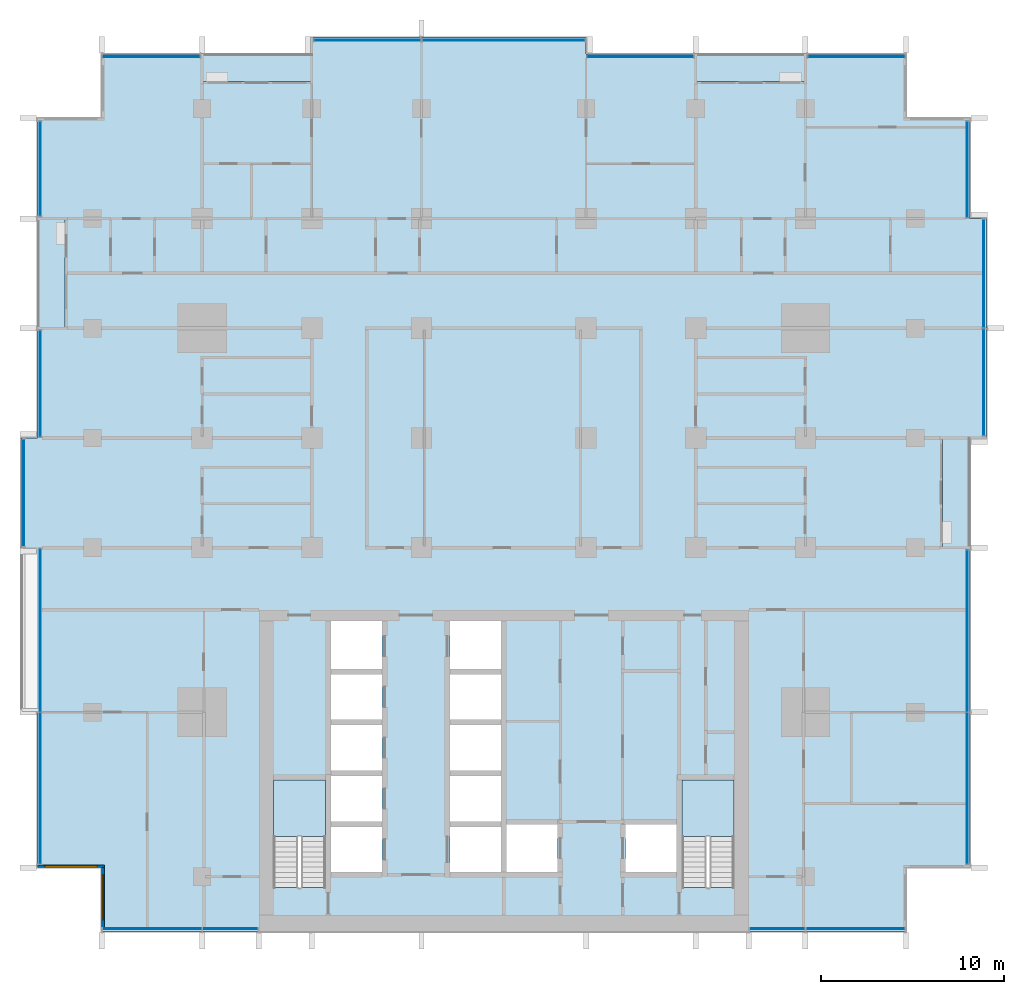
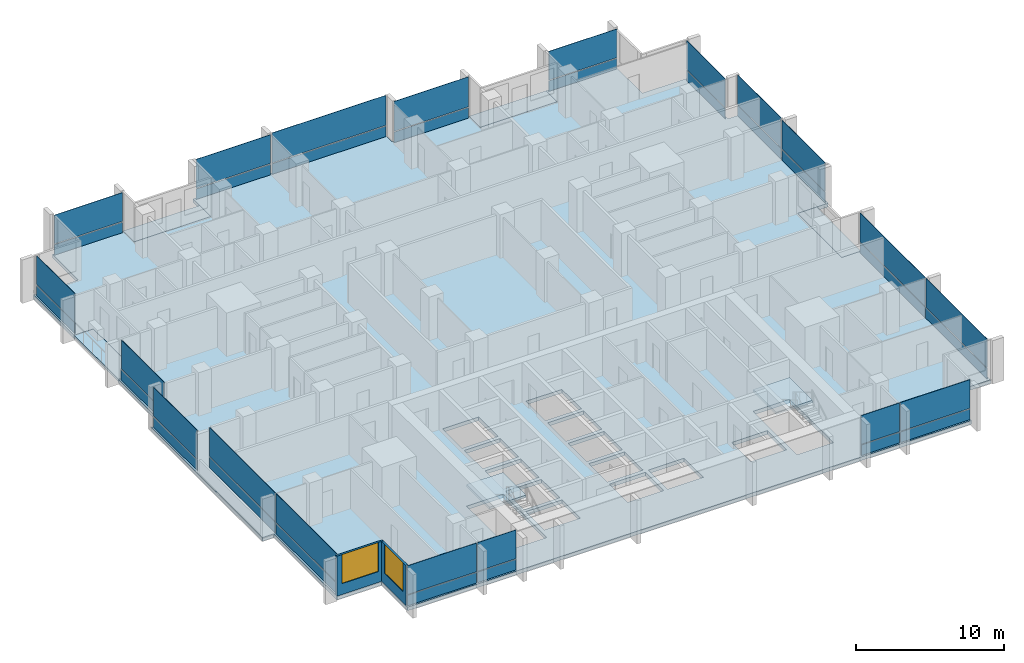
# One storey, part 6 of 17: 38 plates, 7 slabs, 2 walls, 2 windows, 2 openings, 17 elements without a shape of their own.
"""IFC4 building model written with IfcOpenShell, lengths in metres."""

from ifc_helpers import new_model, si_unit, direction, frame, frame_2d, origin, origin_2d, place, context, subcontext, project, spatial, polyline, rectangle, outline, extrude, material, layer, layer_set, type_object, element, fill, aggregate, save


model = new_model("IFC4")

# Units and contexts
model_context = context("Model", 3, precision=1e-05, world=origin(), true_north=direction((0.0, 1.0)))
body_context = subcontext(model_context, "Body", "Model", "MODEL_VIEW")
ifc_project = project(units=[si_unit("LENGTHUNIT", "METRE"), si_unit("AREAUNIT", "SQUARE_METRE"), si_unit("VOLUMEUNIT", "CUBIC_METRE"), si_unit("PLANEANGLEUNIT", "RADIAN"), si_unit("MASSUNIT", "GRAM", prefix="KILO")], contexts=[model_context])

# Site, building, storey
site_placement = place(None, origin())
site = spatial("IfcSite", under=ifc_project, at=site_placement, CompositionType="ELEMENT")
building_placement = place(site_placement, origin())
building = spatial("IfcBuilding", under=site, at=building_placement, Name="Finial Court Residences", CompositionType="ELEMENT")
storey_placement = place(building_placement, frame((0.0, 0.0, 120.699951171875)))
storey = spatial("IfcBuildingStorey", under=building, at=storey_placement, Name="L30", CompositionType="ELEMENT", Elevation=120.699951171875)

# Slabs
ifc_material_1 = material(Name="Concrete C35/45", Category="concrete")
ifc_layer_1 = layer(ifc_material_1, 0.199951171875)
ifc_layer_set_1 = layer_set([ifc_layer_1], Name="Balcony slab, Concrete C35/45 200")
slab_type_1 = type_object("IfcSlabType", Name="Balcony slab, Concrete C35/45 200", PredefinedType="FLOOR", material=ifc_layer_set_1)
slab_1_placement = place(storey_placement, frame((0.0, 0.0, -0.199951171875)))
element("IfcSlab", 1, at=slab_1_placement, inside=storey, type_object=slab_type_1, Name="Balcony L30-N2", PredefinedType="FLOOR", context=body_context, shape_type="SweptSolid", body=[
    extrude(outline(polyline([(-10.5, 21.0), (-10.5, 22.5), (-16.5, 22.5), (-16.5, 21.0), (-10.5, 21.0)])), origin(), (0.0, 0.0, 1.0), 0.199951171875),
])
slab_2_placement = place(storey_placement, frame((0.0, 0.0, -0.199951171875)))
element("IfcSlab", 2, at=slab_2_placement, inside=storey, type_object=slab_type_1, Name="Balcony L30-N6", PredefinedType="FLOOR", context=body_context, shape_type="SweptSolid", body=[
    extrude(outline(polyline([(16.5, 21.0), (16.5, 22.5), (10.5, 22.5), (10.5, 21.0), (16.5, 21.0)])), origin(), (0.0, 0.0, 1.0), 0.199951171875),
])
slab_3_placement = place(storey_placement, frame((0.0, 0.0, -0.199951171875)))
element("IfcSlab", 3, at=slab_3_placement, inside=storey, type_object=slab_type_1, Name="Balcony L30-E3", PredefinedType="FLOOR", context=body_context, shape_type="SweptSolid", body=[
    extrude(outline(polyline([(25.5, -4.5), (25.5, 1.5), (24.0, 1.5), (24.0, -4.5), (25.5, -4.5)])), origin(), (0.0, 0.0, 1.0), 0.199951171875),
])
slab_4_placement = place(storey_placement, frame((0.0, 0.0, -0.199951171875)))
element("IfcSlab", 4, at=slab_4_placement, inside=storey, type_object=slab_type_1, Name="Balcony L30-W5", PredefinedType="FLOOR", context=body_context, shape_type="SweptSolid", body=[
    extrude(outline(polyline([(-24.0, 7.5), (-24.0, 13.5), (-25.5, 13.5), (-25.5, 7.5), (-24.0, 7.5)])), origin(), (0.0, 0.0, 1.0), 0.199951171875),
])

# Curtain wall, plate
ifc_material_2 = material(Name="Bronze anodised aluminium", Category="aluminium")
curtain_wall_type = type_object("IfcCurtainWallType", Name="Unitised curtain wall, lower and middle zones", PredefinedType="NOTDEFINED", material=ifc_material_2)
curtain_wall_1_placement = place(storey_placement, origin())
curtain_wall_1 = element("IfcCurtainWall", 5, at=curtain_wall_1_placement, inside=storey, type_object=curtain_wall_type, Name="E-L30-CW-N1", PredefinedType="NOTDEFINED")
ifc_layer_2 = layer(ifc_material_2, 0.0400390625)
ifc_layer_set_2 = layer_set([ifc_layer_2], Name="CW1 spandrel panel 40")
plate_type_1 = type_object("IfcPlateType", Name="CW1 spandrel panel 40", PredefinedType="CURTAIN_PANEL", material=ifc_layer_set_2)
plate_1_placement = place(storey_placement, frame((-19.28759765625, 22.35009765625, 0.0), z_axis=(0.0, 0.0, 1.0), x_axis=(1.0, 0.0, 0.0)))
plate_1 = element("IfcPlate", 6, at=plate_1_placement, type_object=plate_type_1, Name="CW1 spandrel 1.1", PredefinedType="CURTAIN_PANEL", context=body_context, shape_type="SweptSolid", body=[
    extrude(rectangle(XDim=5.294921875, YDim=0.0400390625, at=origin_2d()), origin(), (0.0, 0.0, 1.0), 0.867431640625),
])

curtain_wall_2_placement = place(storey_placement, origin())
curtain_wall_2 = element("IfcCurtainWall", 7, at=curtain_wall_2_placement, inside=storey, type_object=curtain_wall_type, Name="E-L30-CW-N2", PredefinedType="NOTDEFINED")
plate_2_placement = place(storey_placement, frame((-7.46240234375, 23.25, 0.0), z_axis=(0.0, 0.0, 1.0), x_axis=(1.0, 0.0, 0.0)))
plate_2 = element("IfcPlate", 8, at=plate_2_placement, type_object=plate_type_1, Name="CW1 spandrel 1.1", PredefinedType="CURTAIN_PANEL", context=body_context, shape_type="SweptSolid", body=[
    extrude(rectangle(XDim=5.794921875, YDim=0.0400390625, at=origin_2d()), origin(), (0.0, 0.0, 1.0), 0.867431640625),
])

curtain_wall_3_placement = place(storey_placement, origin())
curtain_wall_3 = element("IfcCurtainWall", 9, at=curtain_wall_3_placement, inside=storey, type_object=curtain_wall_type, Name="E-L30-CW-N3", PredefinedType="NOTDEFINED")
plate_3_placement = place(storey_placement, frame((0.0, 23.25, 0.0), z_axis=(0.0, 0.0, 1.0), x_axis=(1.0, 0.0, 0.0)))
plate_3 = element("IfcPlate", 10, at=plate_3_placement, type_object=plate_type_1, Name="CW1 spandrel 1.1", PredefinedType="CURTAIN_PANEL", context=body_context, shape_type="SweptSolid", body=[
    extrude(rectangle(XDim=8.8701171875, YDim=0.0400390625, at=origin_2d()), origin(), (0.0, 0.0, 1.0), 0.867431640625),
])

curtain_wall_4_placement = place(storey_placement, origin())
curtain_wall_4 = element("IfcCurtainWall", 11, at=curtain_wall_4_placement, inside=storey, type_object=curtain_wall_type, Name="E-L30-CW-N4", PredefinedType="NOTDEFINED")
plate_4_placement = place(storey_placement, frame((7.46240234375, 22.35009765625, 0.0), z_axis=(0.0, 0.0, 1.0), x_axis=(1.0, 0.0, 0.0)))
plate_4 = element("IfcPlate", 12, at=plate_4_placement, type_object=plate_type_1, Name="CW1 spandrel 1.1", PredefinedType="CURTAIN_PANEL", context=body_context, shape_type="SweptSolid", body=[
    extrude(rectangle(XDim=5.794921875, YDim=0.0400390625, at=origin_2d()), origin(), (0.0, 0.0, 1.0), 0.867431640625),
])

curtain_wall_5_placement = place(storey_placement, origin())
curtain_wall_5 = element("IfcCurtainWall", 13, at=curtain_wall_5_placement, inside=storey, type_object=curtain_wall_type, Name="E-L30-CW-N5", PredefinedType="NOTDEFINED")
plate_5_placement = place(storey_placement, frame((19.28759765625, 22.35009765625, 0.0), z_axis=(0.0, 0.0, 1.0), x_axis=(1.0, 0.0, 0.0)))
plate_5 = element("IfcPlate", 14, at=plate_5_placement, type_object=plate_type_1, Name="CW1 spandrel 1.1", PredefinedType="CURTAIN_PANEL", context=body_context, shape_type="SweptSolid", body=[
    extrude(rectangle(XDim=5.294921875, YDim=0.0400390625, at=origin_2d()), origin(), (0.0, 0.0, 1.0), 0.867431640625),
])

# Curtain wall, plates
curtain_wall_6_placement = place(storey_placement, origin())
curtain_wall_6 = element("IfcCurtainWall", 15, at=curtain_wall_6_placement, inside=storey, type_object=curtain_wall_type, Name="E-L30-CW-E6", PredefinedType="NOTDEFINED")
plate_6_placement = place(storey_placement, frame((25.35009765625, -17.65869140625, 0.0), z_axis=(0.0, 0.0, 1.0), x_axis=(0.0, 1.0, 0.0)))
plate_6 = element("IfcPlate", 16, at=plate_6_placement, type_object=plate_type_1, Name="CW1 spandrel 1.1", PredefinedType="CURTAIN_PANEL", context=body_context, shape_type="SweptSolid", body=[
    extrude(rectangle(XDim=8.25244140625, YDim=0.0400390625, at=origin_2d()), origin(), (0.0, 0.0, 1.0), 0.867431640625),
])
plate_7_placement = place(storey_placement, frame((25.35009765625, -9.0537109375, 0.0), z_axis=(0.0, 0.0, 1.0), x_axis=(0.0, 1.0, 0.0)))
plate_7 = element("IfcPlate", 17, at=plate_7_placement, type_object=plate_type_1, Name="CW1 spandrel 2.1", PredefinedType="CURTAIN_PANEL", context=body_context, shape_type="SweptSolid", body=[
    extrude(rectangle(XDim=8.827392578125, YDim=0.0400390625, at=origin_2d()), origin(), (0.0, 0.0, 1.0), 0.867431640625),
])

# Curtain wall, plate
curtain_wall_7_placement = place(storey_placement, origin())
curtain_wall_7 = element("IfcCurtainWall", 18, at=curtain_wall_7_placement, inside=storey, type_object=curtain_wall_type, Name="E-L30-CW-E7", PredefinedType="NOTDEFINED")
plate_8_placement = place(storey_placement, frame((26.25, 4.53759765625, 0.0), z_axis=(0.0, 0.0, 1.0), x_axis=(0.0, 1.0, 0.0)))
plate_8 = element("IfcPlate", 19, at=plate_8_placement, type_object=plate_type_1, Name="CW1 spandrel 1.1", PredefinedType="CURTAIN_PANEL", context=body_context, shape_type="SweptSolid", body=[
    extrude(rectangle(XDim=5.794921875, YDim=0.0400390625, at=origin_2d()), origin(), (0.0, 0.0, 1.0), 0.867431640625),
])

curtain_wall_8_placement = place(storey_placement, origin())
curtain_wall_8 = element("IfcCurtainWall", 20, at=curtain_wall_8_placement, inside=storey, type_object=curtain_wall_type, Name="E-L30-CW-E8", PredefinedType="NOTDEFINED")
plate_9_placement = place(storey_placement, frame((26.25, 10.5, 0.0), z_axis=(0.0, 0.0, 1.0), x_axis=(0.0, 1.0, 0.0)))
plate_9 = element("IfcPlate", 21, at=plate_9_placement, type_object=plate_type_1, Name="CW1 spandrel 1.1", PredefinedType="CURTAIN_PANEL", context=body_context, shape_type="SweptSolid", body=[
    extrude(rectangle(XDim=5.8701171875, YDim=0.0400390625, at=origin_2d()), origin(), (0.0, 0.0, 1.0), 0.867431640625),
])

curtain_wall_9_placement = place(storey_placement, origin())
curtain_wall_9 = element("IfcCurtainWall", 22, at=curtain_wall_9_placement, inside=storey, type_object=curtain_wall_type, Name="E-L30-CW-E9", PredefinedType="NOTDEFINED")
plate_10_placement = place(storey_placement, frame((25.35009765625, 16.175048828125, 0.0), z_axis=(0.0, 0.0, 1.0), x_axis=(0.0, 1.0, 0.0)))
plate_10 = element("IfcPlate", 23, at=plate_10_placement, type_object=plate_type_1, Name="CW1 spandrel 1.1", PredefinedType="CURTAIN_PANEL", context=body_context, shape_type="SweptSolid", body=[
    extrude(rectangle(XDim=5.219970703125, YDim=0.0400390625, at=origin_2d()), origin(), (0.0, 0.0, 1.0), 0.867431640625),
])

# Curtain wall, plates
curtain_wall_10_placement = place(storey_placement, origin())
curtain_wall_10 = element("IfcCurtainWall", 24, at=curtain_wall_10_placement, inside=storey, type_object=curtain_wall_type, Name="E-L30-CW-S10", PredefinedType="NOTDEFINED")
plate_11_placement = place(storey_placement, frame((-19.23388671875, -25.35009765625, 0.0), z_axis=(0.0, 0.0, 1.0), x_axis=(1.0, 0.0, 0.0)))
plate_11 = element("IfcPlate", 25, at=plate_11_placement, type_object=plate_type_1, Name="CW1 spandrel 1.1", PredefinedType="CURTAIN_PANEL", context=body_context, shape_type="SweptSolid", body=[
    extrude(rectangle(XDim=5.402587890625, YDim=0.0400390625, at=origin_2d()), origin(), (0.0, 0.0, 1.0), 0.867431640625),
])
plate_12_placement = place(storey_placement, frame((-14.96630859375, -25.35009765625, 0.0), z_axis=(0.0, 0.0, 1.0), x_axis=(1.0, 0.0, 0.0)))
plate_12 = element("IfcPlate", 26, at=plate_12_placement, type_object=plate_type_1, Name="CW1 spandrel 2.1", PredefinedType="CURTAIN_PANEL", context=body_context, shape_type="SweptSolid", body=[
    extrude(rectangle(XDim=3.00244140625, YDim=0.0400390625, at=origin_2d()), origin(), (0.0, 0.0, 1.0), 0.867431640625),
])

curtain_wall_11_placement = place(storey_placement, origin())
curtain_wall_11 = element("IfcCurtainWall", 27, at=curtain_wall_11_placement, inside=storey, type_object=curtain_wall_type, Name="E-L30-CW-S11", PredefinedType="NOTDEFINED")
plate_13_placement = place(storey_placement, frame((14.96630859375, -25.35009765625, 0.0), z_axis=(0.0, 0.0, 1.0), x_axis=(1.0, 0.0, 0.0)))
plate_13 = element("IfcPlate", 28, at=plate_13_placement, type_object=plate_type_1, Name="CW1 spandrel 1.1", PredefinedType="CURTAIN_PANEL", context=body_context, shape_type="SweptSolid", body=[
    extrude(rectangle(XDim=3.00244140625, YDim=0.0400390625, at=origin_2d()), origin(), (0.0, 0.0, 1.0), 0.867431640625),
])
plate_14_placement = place(storey_placement, frame((19.23388671875, -25.35009765625, 0.0), z_axis=(0.0, 0.0, 1.0), x_axis=(1.0, 0.0, 0.0)))
plate_14 = element("IfcPlate", 29, at=plate_14_placement, type_object=plate_type_1, Name="CW1 spandrel 2.1", PredefinedType="CURTAIN_PANEL", context=body_context, shape_type="SweptSolid", body=[
    extrude(rectangle(XDim=5.402587890625, YDim=0.0400390625, at=origin_2d()), origin(), (0.0, 0.0, 1.0), 0.867431640625),
])

curtain_wall_12_placement = place(storey_placement, origin())
curtain_wall_12 = element("IfcCurtainWall", 30, at=curtain_wall_12_placement, inside=storey, type_object=curtain_wall_type, Name="E-L30-CW-W12", PredefinedType="NOTDEFINED")
plate_15_placement = place(storey_placement, frame((-25.35009765625, -17.65869140625, 0.0), z_axis=(0.0, 0.0, 1.0), x_axis=(0.0, 1.0, 0.0)))
plate_15 = element("IfcPlate", 31, at=plate_15_placement, type_object=plate_type_1, Name="CW1 spandrel 1.1", PredefinedType="CURTAIN_PANEL", context=body_context, shape_type="SweptSolid", body=[
    extrude(rectangle(XDim=8.25244140625, YDim=0.0400390625, at=origin_2d()), origin(), (0.0, 0.0, 1.0), 0.867431640625),
])
plate_16_placement = place(storey_placement, frame((-25.35009765625, -9.01611328125, 0.0), z_axis=(0.0, 0.0, 1.0), x_axis=(0.0, 1.0, 0.0)))
plate_16 = element("IfcPlate", 32, at=plate_16_placement, type_object=plate_type_1, Name="CW1 spandrel 2.1", PredefinedType="CURTAIN_PANEL", context=body_context, shape_type="SweptSolid", body=[
    extrude(rectangle(XDim=8.902587890625, YDim=0.0400390625, at=origin_2d()), origin(), (0.0, 0.0, 1.0), 0.867431640625),
])

# Curtain wall, plate
curtain_wall_13_placement = place(storey_placement, origin())
curtain_wall_13 = element("IfcCurtainWall", 33, at=curtain_wall_13_placement, inside=storey, type_object=curtain_wall_type, Name="E-L30-CW-W13", PredefinedType="NOTDEFINED")
plate_17_placement = place(storey_placement, frame((-26.25, -1.5, 0.0), z_axis=(0.0, 0.0, 1.0), x_axis=(0.0, 1.0, 0.0)))
plate_17 = element("IfcPlate", 34, at=plate_17_placement, type_object=plate_type_1, Name="CW1 spandrel 1.1", PredefinedType="CURTAIN_PANEL", context=body_context, shape_type="SweptSolid", body=[
    extrude(rectangle(XDim=5.8701171875, YDim=0.0400390625, at=origin_2d()), origin(), (0.0, 0.0, 1.0), 0.867431640625),
])

curtain_wall_14_placement = place(storey_placement, origin())
curtain_wall_14 = element("IfcCurtainWall", 35, at=curtain_wall_14_placement, inside=storey, type_object=curtain_wall_type, Name="E-L30-CW-W14", PredefinedType="NOTDEFINED")
plate_18_placement = place(storey_placement, frame((-25.35009765625, 4.46240234375, 0.0), z_axis=(0.0, 0.0, 1.0), x_axis=(0.0, 1.0, 0.0)))
plate_18 = element("IfcPlate", 36, at=plate_18_placement, type_object=plate_type_1, Name="CW1 spandrel 1.1", PredefinedType="CURTAIN_PANEL", context=body_context, shape_type="SweptSolid", body=[
    extrude(rectangle(XDim=5.794921875, YDim=0.0400390625, at=origin_2d()), origin(), (0.0, 0.0, 1.0), 0.867431640625),
])

curtain_wall_15_placement = place(storey_placement, origin())
curtain_wall_15 = element("IfcCurtainWall", 37, at=curtain_wall_15_placement, inside=storey, type_object=curtain_wall_type, Name="E-L30-CW-W15", PredefinedType="NOTDEFINED")
plate_19_placement = place(storey_placement, frame((-25.35009765625, 16.21240234375, 0.0), z_axis=(0.0, 0.0, 1.0), x_axis=(0.0, 1.0, 0.0)))
plate_19 = element("IfcPlate", 38, at=plate_19_placement, type_object=plate_type_1, Name="CW1 spandrel 1.1", PredefinedType="CURTAIN_PANEL", context=body_context, shape_type="SweptSolid", body=[
    extrude(rectangle(XDim=5.14501953125, YDim=0.0400390625, at=origin_2d()), origin(), (0.0, 0.0, 1.0), 0.867431640625),
])

# Plate
ifc_material_3 = material(Name="Clear low-e glass", Category="glass")
ifc_layer_3 = layer(ifc_material_3, 0.031982421875)
ifc_layer_set_3 = layer_set([ifc_layer_3], Name="CW1 vision glass 32")
plate_type_2 = type_object("IfcPlateType", Name="CW1 vision glass 32", PredefinedType="CURTAIN_PANEL", material=ifc_layer_set_3)
plate_20_placement = place(storey_placement, frame((-19.28759765625, 22.35009765625, 0.9326171875), z_axis=(0.0, 0.0, 1.0), x_axis=(1.0, 0.0, 0.0)))
plate_20 = element("IfcPlate", 39, at=plate_20_placement, type_object=plate_type_2, Name="CW1 glass 1.2", PredefinedType="CURTAIN_PANEL", context=body_context, shape_type="SweptSolid", body=[
    extrude(rectangle(XDim=5.294921875, YDim=0.031982421875, at=origin_2d()), origin(), (0.0, 0.0, 1.0), 2.367431640625),
])

aggregate(curtain_wall_1, [plate_1, plate_20])

plate_21_placement = place(storey_placement, frame((-7.46240234375, 23.25, 0.9326171875), z_axis=(0.0, 0.0, 1.0), x_axis=(1.0, 0.0, 0.0)))
plate_21 = element("IfcPlate", 40, at=plate_21_placement, type_object=plate_type_2, Name="CW1 glass 1.2", PredefinedType="CURTAIN_PANEL", context=body_context, shape_type="SweptSolid", body=[
    extrude(rectangle(XDim=5.794921875, YDim=0.031982421875, at=origin_2d()), origin(), (0.0, 0.0, 1.0), 2.367431640625),
])

aggregate(curtain_wall_2, [plate_2, plate_21])

plate_22_placement = place(storey_placement, frame((0.0, 23.25, 0.9326171875), z_axis=(0.0, 0.0, 1.0), x_axis=(1.0, 0.0, 0.0)))
plate_22 = element("IfcPlate", 41, at=plate_22_placement, type_object=plate_type_2, Name="CW1 glass 1.2", PredefinedType="CURTAIN_PANEL", context=body_context, shape_type="SweptSolid", body=[
    extrude(rectangle(XDim=8.8701171875, YDim=0.031982421875, at=origin_2d()), origin(), (0.0, 0.0, 1.0), 2.467529296875),
])

aggregate(curtain_wall_3, [plate_3, plate_22])

plate_23_placement = place(storey_placement, frame((7.46240234375, 22.35009765625, 0.9326171875), z_axis=(0.0, 0.0, 1.0), x_axis=(1.0, 0.0, 0.0)))
plate_23 = element("IfcPlate", 42, at=plate_23_placement, type_object=plate_type_2, Name="CW1 glass 1.2", PredefinedType="CURTAIN_PANEL", context=body_context, shape_type="SweptSolid", body=[
    extrude(rectangle(XDim=5.794921875, YDim=0.031982421875, at=origin_2d()), origin(), (0.0, 0.0, 1.0), 2.467529296875),
])

aggregate(curtain_wall_4, [plate_4, plate_23])

plate_24_placement = place(storey_placement, frame((19.28759765625, 22.35009765625, 0.9326171875), z_axis=(0.0, 0.0, 1.0), x_axis=(1.0, 0.0, 0.0)))
plate_24 = element("IfcPlate", 43, at=plate_24_placement, type_object=plate_type_2, Name="CW1 glass 1.2", PredefinedType="CURTAIN_PANEL", context=body_context, shape_type="SweptSolid", body=[
    extrude(rectangle(XDim=5.294921875, YDim=0.031982421875, at=origin_2d()), origin(), (0.0, 0.0, 1.0), 2.367431640625),
])

aggregate(curtain_wall_5, [plate_5, plate_24])

plate_25_placement = place(storey_placement, frame((25.35009765625, -17.65869140625, 0.9326171875), z_axis=(0.0, 0.0, 1.0), x_axis=(0.0, 1.0, 0.0)))
plate_25 = element("IfcPlate", 44, at=plate_25_placement, type_object=plate_type_2, Name="CW1 glass 1.2", PredefinedType="CURTAIN_PANEL", context=body_context, shape_type="SweptSolid", body=[
    extrude(rectangle(XDim=8.25244140625, YDim=0.031982421875, at=origin_2d()), origin(), (0.0, 0.0, 1.0), 2.367431640625),
])

plate_26_placement = place(storey_placement, frame((25.35009765625, -9.0537109375, 0.9326171875), z_axis=(0.0, 0.0, 1.0), x_axis=(0.0, 1.0, 0.0)))
plate_26 = element("IfcPlate", 45, at=plate_26_placement, type_object=plate_type_2, Name="CW1 glass 2.2", PredefinedType="CURTAIN_PANEL", context=body_context, shape_type="SweptSolid", body=[
    extrude(rectangle(XDim=8.827392578125, YDim=0.031982421875, at=origin_2d()), origin(), (0.0, 0.0, 1.0), 2.367431640625),
])

aggregate(curtain_wall_6, [plate_6, plate_25, plate_7, plate_26])

plate_27_placement = place(storey_placement, frame((26.25, 4.53759765625, 0.9326171875), z_axis=(0.0, 0.0, 1.0), x_axis=(0.0, 1.0, 0.0)))
plate_27 = element("IfcPlate", 46, at=plate_27_placement, type_object=plate_type_2, Name="CW1 glass 1.2", PredefinedType="CURTAIN_PANEL", context=body_context, shape_type="SweptSolid", body=[
    extrude(rectangle(XDim=5.794921875, YDim=0.031982421875, at=origin_2d()), origin(), (0.0, 0.0, 1.0), 2.367431640625),
])

aggregate(curtain_wall_7, [plate_8, plate_27])

plate_28_placement = place(storey_placement, frame((26.25, 10.5, 0.9326171875), z_axis=(0.0, 0.0, 1.0), x_axis=(0.0, 1.0, 0.0)))
plate_28 = element("IfcPlate", 47, at=plate_28_placement, type_object=plate_type_2, Name="CW1 glass 1.2", PredefinedType="CURTAIN_PANEL", context=body_context, shape_type="SweptSolid", body=[
    extrude(rectangle(XDim=5.8701171875, YDim=0.031982421875, at=origin_2d()), origin(), (0.0, 0.0, 1.0), 2.467529296875),
])

aggregate(curtain_wall_8, [plate_9, plate_28])

plate_29_placement = place(storey_placement, frame((25.35009765625, 16.175048828125, 0.9326171875), z_axis=(0.0, 0.0, 1.0), x_axis=(0.0, 1.0, 0.0)))
plate_29 = element("IfcPlate", 48, at=plate_29_placement, type_object=plate_type_2, Name="CW1 glass 1.2", PredefinedType="CURTAIN_PANEL", context=body_context, shape_type="SweptSolid", body=[
    extrude(rectangle(XDim=5.219970703125, YDim=0.031982421875, at=origin_2d()), origin(), (0.0, 0.0, 1.0), 2.367431640625),
])

aggregate(curtain_wall_9, [plate_10, plate_29])

plate_30_placement = place(storey_placement, frame((-19.23388671875, -25.35009765625, 0.9326171875), z_axis=(0.0, 0.0, 1.0), x_axis=(1.0, 0.0, 0.0)))
plate_30 = element("IfcPlate", 49, at=plate_30_placement, type_object=plate_type_2, Name="CW1 glass 1.2", PredefinedType="CURTAIN_PANEL", context=body_context, shape_type="SweptSolid", body=[
    extrude(rectangle(XDim=5.402587890625, YDim=0.031982421875, at=origin_2d()), origin(), (0.0, 0.0, 1.0), 2.367431640625),
])

plate_31_placement = place(storey_placement, frame((-14.96630859375, -25.35009765625, 0.9326171875), z_axis=(0.0, 0.0, 1.0), x_axis=(1.0, 0.0, 0.0)))
plate_31 = element("IfcPlate", 50, at=plate_31_placement, type_object=plate_type_2, Name="CW1 glass 2.2", PredefinedType="CURTAIN_PANEL", context=body_context, shape_type="SweptSolid", body=[
    extrude(rectangle(XDim=3.00244140625, YDim=0.031982421875, at=origin_2d()), origin(), (0.0, 0.0, 1.0), 2.367431640625),
])

aggregate(curtain_wall_10, [plate_11, plate_30, plate_12, plate_31])

plate_32_placement = place(storey_placement, frame((14.96630859375, -25.35009765625, 0.9326171875), z_axis=(0.0, 0.0, 1.0), x_axis=(1.0, 0.0, 0.0)))
plate_32 = element("IfcPlate", 51, at=plate_32_placement, type_object=plate_type_2, Name="CW1 glass 1.2", PredefinedType="CURTAIN_PANEL", context=body_context, shape_type="SweptSolid", body=[
    extrude(rectangle(XDim=3.00244140625, YDim=0.031982421875, at=origin_2d()), origin(), (0.0, 0.0, 1.0), 2.367431640625),
])

plate_33_placement = place(storey_placement, frame((19.23388671875, -25.35009765625, 0.9326171875), z_axis=(0.0, 0.0, 1.0), x_axis=(1.0, 0.0, 0.0)))
plate_33 = element("IfcPlate", 52, at=plate_33_placement, type_object=plate_type_2, Name="CW1 glass 2.2", PredefinedType="CURTAIN_PANEL", context=body_context, shape_type="SweptSolid", body=[
    extrude(rectangle(XDim=5.402587890625, YDim=0.031982421875, at=origin_2d()), origin(), (0.0, 0.0, 1.0), 2.367431640625),
])

aggregate(curtain_wall_11, [plate_13, plate_32, plate_14, plate_33])

plate_34_placement = place(storey_placement, frame((-25.35009765625, -17.65869140625, 0.9326171875), z_axis=(0.0, 0.0, 1.0), x_axis=(0.0, 1.0, 0.0)))
plate_34 = element("IfcPlate", 53, at=plate_34_placement, type_object=plate_type_2, Name="CW1 glass 1.2", PredefinedType="CURTAIN_PANEL", context=body_context, shape_type="SweptSolid", body=[
    extrude(rectangle(XDim=8.25244140625, YDim=0.031982421875, at=origin_2d()), origin(), (0.0, 0.0, 1.0), 2.367431640625),
])

plate_35_placement = place(storey_placement, frame((-25.35009765625, -9.01611328125, 0.9326171875), z_axis=(0.0, 0.0, 1.0), x_axis=(0.0, 1.0, 0.0)))
plate_35 = element("IfcPlate", 54, at=plate_35_placement, type_object=plate_type_2, Name="CW1 glass 2.2", PredefinedType="CURTAIN_PANEL", context=body_context, shape_type="SweptSolid", body=[
    extrude(rectangle(XDim=8.902587890625, YDim=0.031982421875, at=origin_2d()), origin(), (0.0, 0.0, 1.0), 2.367431640625),
])

aggregate(curtain_wall_12, [plate_15, plate_34, plate_16, plate_35])

plate_36_placement = place(storey_placement, frame((-26.25, -1.5, 0.9326171875), z_axis=(0.0, 0.0, 1.0), x_axis=(0.0, 1.0, 0.0)))
plate_36 = element("IfcPlate", 55, at=plate_36_placement, type_object=plate_type_2, Name="CW1 glass 1.2", PredefinedType="CURTAIN_PANEL", context=body_context, shape_type="SweptSolid", body=[
    extrude(rectangle(XDim=5.8701171875, YDim=0.031982421875, at=origin_2d()), origin(), (0.0, 0.0, 1.0), 2.367431640625),
])

aggregate(curtain_wall_13, [plate_17, plate_36])

plate_37_placement = place(storey_placement, frame((-25.35009765625, 4.46240234375, 0.9326171875), z_axis=(0.0, 0.0, 1.0), x_axis=(0.0, 1.0, 0.0)))
plate_37 = element("IfcPlate", 56, at=plate_37_placement, type_object=plate_type_2, Name="CW1 glass 1.2", PredefinedType="CURTAIN_PANEL", context=body_context, shape_type="SweptSolid", body=[
    extrude(rectangle(XDim=5.794921875, YDim=0.031982421875, at=origin_2d()), origin(), (0.0, 0.0, 1.0), 2.367431640625),
])

aggregate(curtain_wall_14, [plate_18, plate_37])

plate_38_placement = place(storey_placement, frame((-25.35009765625, 16.21240234375, 0.9326171875), z_axis=(0.0, 0.0, 1.0), x_axis=(0.0, 1.0, 0.0)))
plate_38 = element("IfcPlate", 57, at=plate_38_placement, type_object=plate_type_2, Name="CW1 glass 1.2", PredefinedType="CURTAIN_PANEL", context=body_context, shape_type="SweptSolid", body=[
    extrude(rectangle(XDim=5.14501953125, YDim=0.031982421875, at=origin_2d()), origin(), (0.0, 0.0, 1.0), 2.367431640625),
])

aggregate(curtain_wall_15, [plate_19, plate_38])

# Stair, slab
ifc_material_4 = material(Name="Concrete C50/60", Category="concrete")
stair_type = type_object("IfcStairType", Name="Exit stair 22 risers of 163.6 mm", PredefinedType="HALF_TURN_STAIR", material=ifc_material_4)
stair_1_placement = place(storey_placement, origin())
stair_1 = element("IfcStair", 58, at=stair_1_placement, inside=storey, type_object=stair_type, Name="L30 Exit stair ST-1", PredefinedType="HALF_TURN_STAIR")
ifc_layer_4 = layer(ifc_material_4, 0.199951171875)
ifc_layer_set_4 = layer_set([ifc_layer_4], Name="Exit stair landing")
slab_type_2 = type_object("IfcSlabType", Name="Exit stair landing", PredefinedType="LANDING", material=ifc_layer_set_4)
slab_5_placement = place(storey_placement, frame((0.0, 0.0, 1.60009765625)))
slab_5 = element("IfcSlab", 59, at=slab_5_placement, type_object=slab_type_2, Name="ST-1 landing 1", PredefinedType="LANDING", context=body_context, shape_type="SweptSolid", body=[
    extrude(outline(polyline([(-9.75, -20.300048828125), (-9.75, -17.199951171875), (-12.60009765625, -17.199951171875), (-12.60009765625, -20.300048828125), (-9.75, -20.300048828125)])), origin(), (0.0, 0.0, 1.0), 0.199951171875),
])
aggregate(stair_1, [slab_5])

stair_2_placement = place(storey_placement, origin())
stair_2 = element("IfcStair", 60, at=stair_2_placement, inside=storey, type_object=stair_type, Name="L30 Exit stair ST-2", PredefinedType="HALF_TURN_STAIR")
slab_6_placement = place(storey_placement, frame((0.0, 0.0, 1.60009765625)))
slab_6 = element("IfcSlab", 61, at=slab_6_placement, type_object=slab_type_2, Name="ST-2 landing 1", PredefinedType="LANDING", context=body_context, shape_type="SweptSolid", body=[
    extrude(outline(polyline([(12.60009765625, -20.300048828125), (12.60009765625, -17.199951171875), (9.75, -17.199951171875), (9.75, -20.300048828125), (12.60009765625, -20.300048828125)])), origin(), (0.0, 0.0, 1.0), 0.199951171875),
])
aggregate(stair_2, [slab_6])

# Slab
ifc_material_5 = material(Name="Concrete C40/50", Category="concrete")
ifc_layer_5 = layer(ifc_material_5, 0.300048828125)
ifc_layer_set_5 = layer_set([ifc_layer_5], Name="Flat plate slab 300 Concrete C40/50")
slab_type_3 = type_object("IfcSlabType", Name="Flat plate slab 300 Concrete C40/50", PredefinedType="FLOOR", material=ifc_layer_set_5)
slab_7_placement = place(storey_placement, frame((0.0, 0.0, -0.300048828125)))
element("IfcSlab", 62, at=slab_7_placement, inside=storey, type_object=slab_type_3, Name="S:SLAB:L30", PredefinedType="FLOOR", context=body_context, shape_type="SweptSolid", body=[
    extrude(outline(polyline([(-26.39990234375, -13.5), (-26.39990234375, -4.5), (-26.39990234375, 1.5), (-25.5, 1.5), (-25.5, 7.5), (-24.0, 7.5), (-24.0, 13.5), (-25.5, 13.5), (-25.5, 19.0), (-22.0, 19.0), (-22.0, 22.5), (-16.5, 22.5), (-16.5, 21.0), (-10.5, 21.0), (-10.5, 22.5), (-10.5, 23.39990234375), (-4.5, 23.39990234375), (4.5, 23.39990234375), (4.5, 22.5), (10.5, 22.5), (10.5, 21.0), (16.5, 21.0), (16.5, 22.5), (22.0, 22.5), (22.0, 19.0), (25.5, 19.0), (25.5, 13.5), (26.39990234375, 13.5), (26.39990234375, 7.5), (26.39990234375, 1.5), (25.5, 1.5), (24.0, 1.5), (24.0, -4.5), (25.5, -4.5), (25.5, -22.0), (22.0, -22.0), (22.0, -25.5), (-22.0, -25.5), (-22.0, -22.0), (-25.5, -22.0), (-25.5, -13.5), (-26.39990234375, -13.5)]), holes=[polyline([(-6.64990234375, -19.77001953125), (-9.449951171875, -19.77001953125), (-9.449951171875, -22.25), (-6.64990234375, -22.25), (-6.64990234375, -19.77001953125)]), polyline([(-9.75, -17.199951171875), (-12.60009765625, -17.199951171875), (-12.60009765625, -23.09912109375), (-9.75, -23.09912109375), (-9.75, -17.199951171875)]), polyline([(-6.64990234375, -19.469970703125), (-6.64990234375, -16.989990234375), (-9.449951171875, -16.989990234375), (-9.449951171875, -19.469970703125), (-6.64990234375, -19.469970703125)]), polyline([(-6.64990234375, -16.68994140625), (-6.64990234375, -14.2099609375), (-9.449951171875, -14.2099609375), (-9.449951171875, -16.68994140625), (-6.64990234375, -16.68994140625)]), polyline([(-6.64990234375, -13.909912109375), (-6.64990234375, -11.429931640625), (-9.449951171875, -11.429931640625), (-9.449951171875, -13.909912109375), (-6.64990234375, -13.909912109375)]), polyline([(-6.64990234375, -11.1298828125), (-6.64990234375, -8.5), (-9.449951171875, -8.5), (-9.449951171875, -11.1298828125), (-6.64990234375, -11.1298828125)]), polyline([(-0.14990234375, -11.1298828125), (-0.14990234375, -8.5), (-2.949951171875, -8.5), (-2.949951171875, -11.1298828125), (-0.14990234375, -11.1298828125)]), polyline([(-0.14990234375, -19.77001953125), (-2.949951171875, -19.77001953125), (-2.949951171875, -22.25), (-0.14990234375, -22.25), (-0.14990234375, -19.77001953125)]), polyline([(2.949951171875, -22.25), (2.949951171875, -19.64990234375), (0.14990234375, -19.64990234375), (0.14990234375, -22.25), (2.949951171875, -22.25)]), polyline([(9.449951171875, -22.25), (9.449951171875, -19.64990234375), (6.64990234375, -19.64990234375), (6.64990234375, -22.25), (9.449951171875, -22.25)]), polyline([(12.60009765625, -17.199951171875), (9.75, -17.199951171875), (9.75, -23.09912109375), (12.60009765625, -23.09912109375), (12.60009765625, -17.199951171875)]), polyline([(-0.14990234375, -19.469970703125), (-0.14990234375, -16.989990234375), (-2.949951171875, -16.989990234375), (-2.949951171875, -19.469970703125), (-0.14990234375, -19.469970703125)]), polyline([(-0.14990234375, -16.68994140625), (-0.14990234375, -14.2099609375), (-2.949951171875, -14.2099609375), (-2.949951171875, -16.68994140625), (-0.14990234375, -16.68994140625)]), polyline([(-0.14990234375, -13.909912109375), (-0.14990234375, -11.429931640625), (-2.949951171875, -11.429931640625), (-2.949951171875, -13.909912109375), (-0.14990234375, -13.909912109375)])]), origin(), (0.0, 0.0, 1.0), 0.300048828125),
])

# Wall, opening, window
ifc_material_6 = material(Name="Natural limestone", Category="masonry")
ifc_layer_6 = layer(ifc_material_6, 0.14990234375)
ifc_layer_set_6 = layer_set([ifc_layer_6], Name="Limestone clad wall 150")
wall_type = type_object("IfcWallType", Name="Limestone clad wall 150", PredefinedType="SOLIDWALL", material=ifc_layer_set_6)
wall_1_placement = place(storey_placement, frame((-21.925048828125, -25.25, 0.0), z_axis=(0.0, 0.0, 1.0), x_axis=(0.0, 1.0, 0.0)))
wall_1 = element("IfcWall", 63, at=wall_1_placement, inside=storey, type_object=wall_type, Name="E-L30-NWW16", PredefinedType="SOLIDWALL", context=body_context, shape_type="SweptSolid", body=[
    extrude(rectangle(XDim=3.25, YDim=0.14990234375, at=frame_2d((1.625, 0.0))), origin(), (0.0, 0.0, 1.0), 3.300048828125),
])
opening_1_placement = place(wall_1_placement, frame((0.39990234375, 0.0, 0.89990234375)))
opening_1 = element("IfcOpeningElement", 64, at=opening_1_placement, cuts=wall_1, Name="Opening WE30-01", PredefinedType="OPENING", context=body_context, shape_type="SweptSolid", body=[
    extrude(rectangle(XDim=2.449951171875, YDim=2.39990234375, at=frame_2d((1.22509765625, 1.199951171875))), frame((0.0, 0.0849609375, 0.0), z_axis=(0.0, -1.0, 0.0), x_axis=(1.0, 0.0, 0.0)), (0.0, 0.0, 1.0), 0.169921875),
])
window_type_1 = type_object("IfcWindowType", Name="Corner window 2450 x 2400", PartitioningType="SINGLE_PANEL", PredefinedType="WINDOW", material=ifc_material_3)
window_1_placement = place(opening_1_placement, origin())
window_1 = element("IfcWindow", 65, at=window_1_placement, inside=storey, type_object=window_type_1, Name="E-L30-NWW16-W1", OverallHeight=2.39990234375, OverallWidth=2.449951171875, PartitioningType="SINGLE_PANEL", PredefinedType="WINDOW", context=body_context, shape_type="SweptSolid", body=[
    extrude(rectangle(XDim=2.449951171875, YDim=2.39990234375, at=frame_2d((1.22509765625, 1.199951171875))), frame((0.0, 0.030029296875, 0.0), z_axis=(0.0, -1.0, 0.0), x_axis=(1.0, 0.0, 0.0)), (0.0, 0.0, 1.0), 0.06005859375),
])
fill(opening_1, window_1)

wall_2_placement = place(storey_placement, frame((-21.85009765625, -21.925048828125, 0.0), z_axis=(0.0, 0.0, 1.0), x_axis=(-1.0, 0.0, 0.0)))
wall_2 = element("IfcWall", 66, at=wall_2_placement, inside=storey, type_object=wall_type, Name="E-L30-NWS17", PredefinedType="SOLIDWALL", context=body_context, shape_type="SweptSolid", body=[
    extrude(rectangle(XDim=3.64990234375, YDim=0.14990234375, at=frame_2d((1.824951171875, 0.0))), origin(), (0.0, 0.0, 1.0), 3.300048828125),
])
opening_2_placement = place(wall_2_placement, frame((0.39990234375, 0.0, 0.89990234375)))
opening_2 = element("IfcOpeningElement", 67, at=opening_2_placement, cuts=wall_2, Name="Opening WE30-02", PredefinedType="OPENING", context=body_context, shape_type="SweptSolid", body=[
    extrude(rectangle(XDim=2.85009765625, YDim=2.39990234375, at=frame_2d((1.425048828125, 1.199951171875))), frame((0.0, 0.0849609375, 0.0), z_axis=(0.0, -1.0, 0.0), x_axis=(1.0, 0.0, 0.0)), (0.0, 0.0, 1.0), 0.169921875),
])
window_type_2 = type_object("IfcWindowType", Name="Corner window 2850 x 2400", PartitioningType="SINGLE_PANEL", PredefinedType="WINDOW", material=ifc_material_3)
window_2_placement = place(opening_2_placement, origin())
window_2 = element("IfcWindow", 68, at=window_2_placement, inside=storey, type_object=window_type_2, Name="E-L30-NWS17-W1", OverallHeight=2.39990234375, OverallWidth=2.85009765625, PartitioningType="SINGLE_PANEL", PredefinedType="WINDOW", context=body_context, shape_type="SweptSolid", body=[
    extrude(rectangle(XDim=2.85009765625, YDim=2.39990234375, at=frame_2d((1.425048828125, 1.199951171875))), frame((0.0, 0.030029296875, 0.0), z_axis=(0.0, -1.0, 0.0), x_axis=(1.0, 0.0, 0.0)), (0.0, 0.0, 1.0), 0.06005859375),
])
fill(opening_2, window_2)

save(model, "model.ifc")
